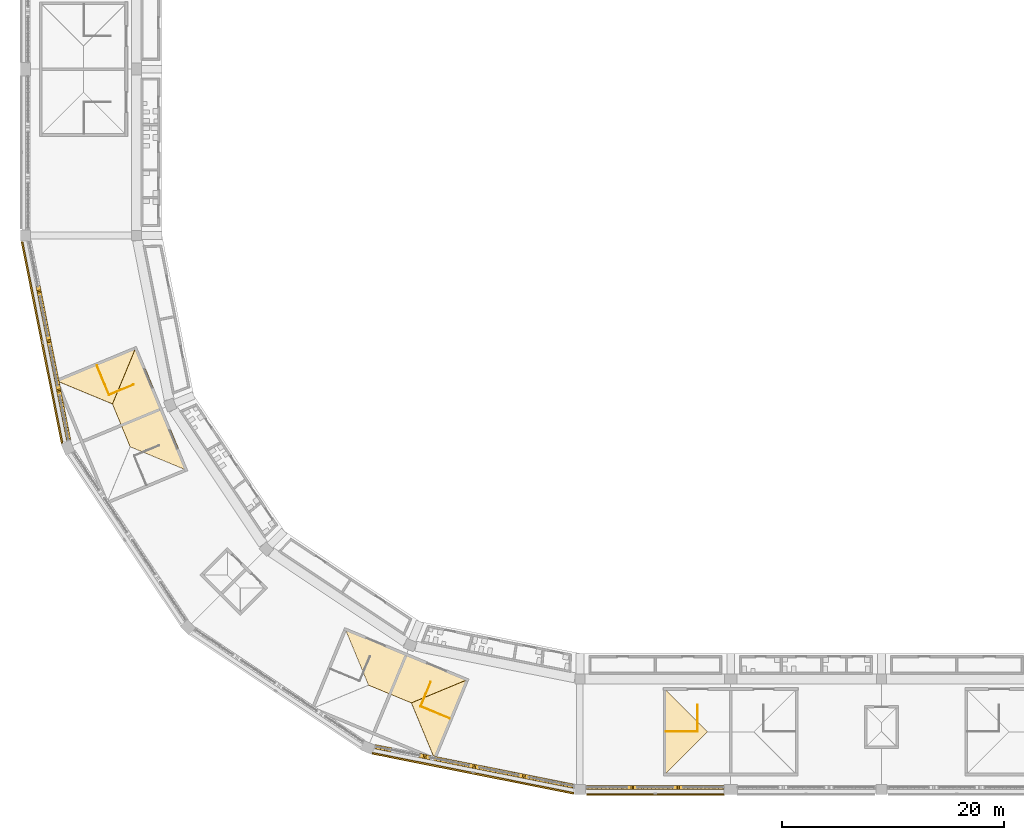
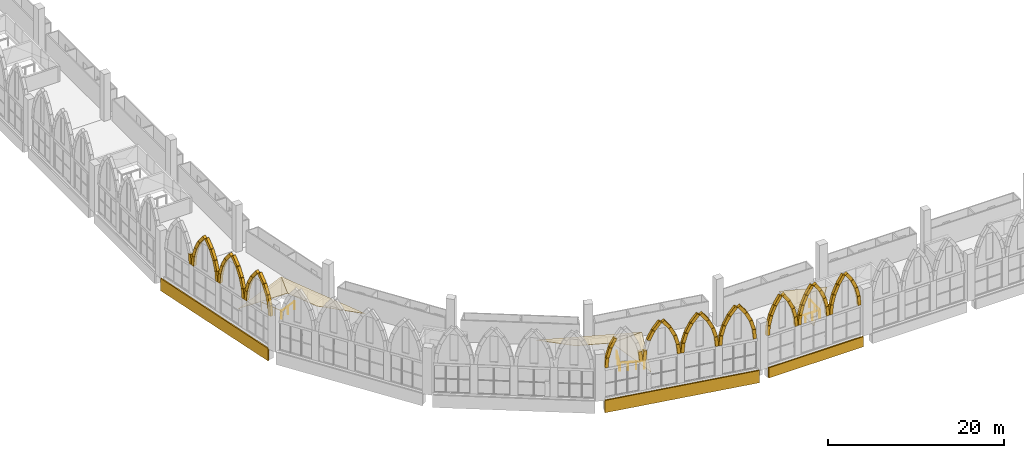
# One storey, part 106 of 130: 84 coverings, 6 railings.
"""IFC4 building model written with IfcOpenShell, lengths in metres."""

from ifc_helpers import new_model, si_unit, direction, frame, origin, origin_2d, place, context, subcontext, project, spatial, polyline, rectangle, circle, outline, extrude, material, layer, layer_set, material_profile, profile_set, type_object, element, save


model = new_model("IFC4")

# Units and contexts
model_context = context("Model", 3, precision=1e-05, world=origin(), true_north=direction((0.0, 1.0)))
body_context = subcontext(model_context, "Body", "Model", "MODEL_VIEW")
ifc_project = project(units=[si_unit("LENGTHUNIT", "METRE"), si_unit("AREAUNIT", "SQUARE_METRE"), si_unit("VOLUMEUNIT", "CUBIC_METRE"), si_unit("PLANEANGLEUNIT", "RADIAN"), si_unit("MASSUNIT", "GRAM", prefix="KILO")], contexts=[model_context])

# Site, building, storey
site_placement = place(None, origin())
site = spatial("IfcSite", under=ifc_project, at=site_placement, CompositionType="ELEMENT")
building_placement = place(site_placement, origin())
building = spatial("IfcBuilding", under=site, at=building_placement, Name="Ogive Plaza Stadium", CompositionType="ELEMENT")
storey_placement = place(building_placement, frame((0.0, 0.0, 22.5)))
storey = spatial("IfcBuildingStorey", under=building, at=storey_placement, Name="L05", CompositionType="ELEMENT", Elevation=22.5)

# Railings
ifc_material_1 = material(Name="Steel ASTM A572 Grade 50", Category="steel")
railing_type = type_object("IfcRailingType", Name="Guard 1100", PredefinedType="GUARDRAIL", material=ifc_material_1)
railing_1_placement = place(storey_placement, frame((-23.375, -94.85009765625, 0.0)))
element("IfcRailing", 1, at=railing_1_placement, inside=storey, type_object=railing_type, Name="Stair well guard ST16A L05", PredefinedType="GUARDRAIL", context=body_context, shape_type="SweptSolid", body=[
    extrude(circle(Radius=0.02392578125, at=origin_2d()), frame((0.0, 0.0, 1.076171875), z_axis=(0.0, -1.0, 0.0), x_axis=(1.0, 0.0, 0.0)), (0.0, 0.0, 1.0), 2.39990234375),
    extrude(circle(Radius=0.02099609375, at=origin_2d()), origin(), (0.0, 0.0, 1.0), 1.052001953125),
    extrude(circle(Radius=0.02099609375, at=origin_2d()), frame((0.0, -1.199951171875, 0.0)), (0.0, 0.0, 1.0), 1.052001953125),
    extrude(circle(Radius=0.02099609375, at=origin_2d()), frame((0.0, -2.39990234375, 0.0)), (0.0, 0.0, 1.0), 1.052001953125),
])
railing_2_placement = place(storey_placement, frame((-26.22509765625, -97.25, 0.0)))
element("IfcRailing", 2, at=railing_2_placement, inside=storey, type_object=railing_type, Name="Stair guard ST16A L05", PredefinedType="GUARDRAIL", context=body_context, shape_type="SweptSolid", body=[
    extrude(circle(Radius=0.02392578125, at=origin_2d()), frame((0.0, 0.0, 1.076171875), z_axis=(1.0, 0.0, 0.0), x_axis=(0.0, 1.0, 0.0)), (0.0, 0.0, 1.0), 2.800048828125),
    extrude(circle(Radius=0.02099609375, at=origin_2d()), origin(), (0.0, 0.0, 1.0), 1.052001953125),
    extrude(circle(Radius=0.02099609375, at=origin_2d()), frame((0.933349609375, 0.0, 0.0)), (0.0, 0.0, 1.0), 1.052001953125),
    extrude(circle(Radius=0.02099609375, at=origin_2d()), frame((1.86669921875, 0.0, 0.0)), (0.0, 0.0, 1.0), 1.052001953125),
    extrude(circle(Radius=0.02099609375, at=origin_2d()), frame((2.800048828125, 0.0, 0.0)), (0.0, 0.0, 1.0), 1.052001953125),
])
railing_3_placement = place(storey_placement, frame((-47.4580078125, -92.764892578125, 0.0)))
element("IfcRailing", 3, at=railing_3_placement, inside=storey, type_object=railing_type, Name="Stair well guard ST18B L05", PredefinedType="GUARDRAIL", context=body_context, shape_type="SweptSolid", body=[
    extrude(circle(Radius=0.02392578125, at=origin_2d()), frame((0.0, 0.0, 1.076171875), z_axis=(-0.382693194178, -0.923875488976, 0.0), x_axis=(0.923875488976, -0.382693194178, 0.0)), (0.0, 0.0, 1.0), 2.39990234375),
    extrude(circle(Radius=0.02099609375, at=origin_2d()), origin(), (0.0, 0.0, 1.0), 1.052001953125),
    extrude(circle(Radius=0.02099609375, at=origin_2d()), frame((-0.459228515625, -1.108642578125, 0.0)), (0.0, 0.0, 1.0), 1.052001953125),
    extrude(circle(Radius=0.02099609375, at=origin_2d()), frame((-0.91845703125, -2.21728515625, 0.0)), (0.0, 0.0, 1.0), 1.052001953125),
])
railing_4_placement = place(storey_placement, frame((-48.330322265625, -95.001220703125, 0.0)))
element("IfcRailing", 4, at=railing_4_placement, inside=storey, type_object=railing_type, Name="Stair guard ST18B L05", PredefinedType="GUARDRAIL", context=body_context, shape_type="SweptSolid", body=[
    extrude(circle(Radius=0.02392578125, at=origin_2d()), frame((0.0, 0.0, 1.076171875), z_axis=(0.923879745429, -0.382682918336, 0.0), x_axis=(0.382682918336, 0.923879745429, 0.0)), (0.0, 0.0, 1.0), 2.800048828125),
    extrude(circle(Radius=0.02099609375, at=origin_2d()), origin(), (0.0, 0.0, 1.0), 1.052001953125),
    extrude(circle(Radius=0.02099609375, at=origin_2d()), frame((0.8623046875, -0.357177734375, 0.0)), (0.0, 0.0, 1.0), 1.052001953125),
    extrude(circle(Radius=0.02099609375, at=origin_2d()), frame((1.724609375, -0.71435546875, 0.0)), (0.0, 0.0, 1.0), 1.052001953125),
    extrude(circle(Radius=0.02099609375, at=origin_2d()), frame((2.5869140625, -1.071533203125, 0.0)), (0.0, 0.0, 1.0), 1.052001953125),
])
railing_5_placement = place(storey_placement, frame((-74.264892578125, -65.9580078125, 0.0)))
element("IfcRailing", 5, at=railing_5_placement, inside=storey, type_object=railing_type, Name="Stair well guard ST20A L05", PredefinedType="GUARDRAIL", context=body_context, shape_type="SweptSolid", body=[
    extrude(circle(Radius=0.02392578125, at=origin_2d()), frame((0.0, 0.0, 1.076171875), z_axis=(-0.923875488976, -0.382693194178, 0.0), x_axis=(0.382693194178, -0.923875488976, 0.0)), (0.0, 0.0, 1.0), 2.39990234375),
    extrude(circle(Radius=0.02099609375, at=origin_2d()), origin(), (0.0, 0.0, 1.0), 1.052001953125),
    extrude(circle(Radius=0.02099609375, at=origin_2d()), frame((-1.108642578125, -0.459228515625, 0.0)), (0.0, 0.0, 1.0), 1.052001953125),
    extrude(circle(Radius=0.02099609375, at=origin_2d()), frame((-2.21728515625, -0.91845703125, 0.0)), (0.0, 0.0, 1.0), 1.052001953125),
])
railing_6_placement = place(storey_placement, frame((-77.57275390625, -64.243408203125, 0.0)))
element("IfcRailing", 6, at=railing_6_placement, inside=storey, type_object=railing_type, Name="Stair guard ST20A L05", PredefinedType="GUARDRAIL", context=body_context, shape_type="SweptSolid", body=[
    extrude(circle(Radius=0.02392578125, at=origin_2d()), frame((0.0, 0.0, 1.076171875), z_axis=(0.382682918336, -0.923879745429, 0.0), x_axis=(0.923879745429, 0.382682918336, 0.0)), (0.0, 0.0, 1.0), 2.800048828125),
    extrude(circle(Radius=0.02099609375, at=origin_2d()), origin(), (0.0, 0.0, 1.0), 1.052001953125),
    extrude(circle(Radius=0.02099609375, at=origin_2d()), frame((0.357177734375, -0.8623046875, 0.0)), (0.0, 0.0, 1.0), 1.052001953125),
    extrude(circle(Radius=0.02099609375, at=origin_2d()), frame((0.71435546875, -1.724609375, 0.0)), (0.0, 0.0, 1.0), 1.052001953125),
    extrude(circle(Radius=0.02099609375, at=origin_2d()), frame((1.071533203125, -2.5869140625, 0.0)), (0.0, 0.0, 1.0), 1.052001953125),
])

# Coverings
ifc_material_2 = material(Name="Cast stone (reconstituted limestone)", Category="masonry")
ifc_material_profile = material_profile(ifc_material_2, rectangle(XDim=0.39990234375, YDim=0.39990234375, at=origin_2d()), Name="Cast stone 400x400")
ifc_profile_set = profile_set([ifc_material_profile], Name="Cast stone (reconstituted limestone)")
covering_type_1 = type_object("IfcCoveringType", Name="Precast arch rib 400x400", PredefinedType="MOLDING", material=ifc_profile_set)
for number, where, z_axis, x_axis, name in (
    (7, (-21.20068359375, -102.300048828125, 4.11669921875), (-0.083467432906, 0.0, 0.996510505536), (0.0, -1.0, 0.0), "ARCH RIB B16 1.1"),
    (8, (-21.314208984375, -102.300048828125, 5.437744140625), (-0.247952785685, 0.0, 0.96877211772), (0.0, -1.0, 0.0), "ARCH RIB B16 1.2"),
    (9, (-21.645751953125, -102.300048828125, 6.7216796875), (-0.405647789331, 0.0, 0.914029469443), (0.0, -1.0, 0.0), "ARCH RIB B16 1.3"),
    (10, (-22.186279296875, -102.300048828125, 7.9326171875), (-0.552038792089, 0.0, 0.833818428694), (0.0, -1.0, 0.0), "ARCH RIB B16 1.4"),
    (11, (-23.2333984375, -102.300048828125, 9.010498046875), (-0.552038792089, 0.0, -0.833818428694), (0.0, -1.0, 0.0), "ARCH RIB B16 1.5"),
    (12, (-23.963134765625, -102.300048828125, 7.9033203125), (-0.405647789331, 0.0, -0.914029469443), (0.0, -1.0, 0.0), "ARCH RIB B16 1.6"),
    (13, (-24.49853515625, -102.300048828125, 6.690185546875), (-0.247952785685, 0.0, -0.96877211772), (0.0, -1.0, 0.0), "ARCH RIB B16 1.7"),
    (14, (-24.82470703125, -102.300048828125, 5.405029296875), (-0.083467432906, 0.0, -0.996510505536), (0.0, -1.0, 0.0), "ARCH RIB B16 1.8"),
    (15, (-25.333984375, -102.300048828125, 4.11669921875), (-0.083467432906, 0.0, 0.996510505536), (0.0, -1.0, 0.0), "ARCH RIB B16 2.1"),
    (16, (-25.447509765625, -102.300048828125, 5.437744140625), (-0.247952785685, 0.0, 0.96877211772), (0.0, -1.0, 0.0), "ARCH RIB B16 2.2"),
    (17, (-25.779052734375, -102.300048828125, 6.7216796875), (-0.405647789331, 0.0, 0.914029469443), (0.0, -1.0, 0.0), "ARCH RIB B16 2.3"),
    (18, (-26.319580078125, -102.300048828125, 7.9326171875), (-0.552038792089, 0.0, 0.833818428694), (0.0, -1.0, 0.0), "ARCH RIB B16 2.4"),
    (19, (-27.36669921875, -102.300048828125, 9.010498046875), (-0.552038792089, 0.0, -0.833818428694), (0.0, -1.0, 0.0), "ARCH RIB B16 2.5"),
    (20, (-28.096435546875, -102.300048828125, 7.9033203125), (-0.405647789331, 0.0, -0.914029469443), (0.0, -1.0, 0.0), "ARCH RIB B16 2.6"),
):
    element("IfcCovering", number, at=place(storey_placement, frame(where, z_axis=z_axis, x_axis=x_axis)), inside=storey, type_object=covering_type_1, Name=name, PredefinedType="MOLDING", context=body_context, shape_type="SweptSolid", body=[
        extrude(rectangle(XDim=0.39990234375, YDim=0.39990234375, at=origin_2d()), origin(), (0.0, 0.0, 1.0), 1.292724609375),
    ])
covering_1_placement = place(storey_placement, frame((-28.6318359375, -102.300048828125, 6.690185546875), z_axis=(-0.248130007434, 0.0, -0.968726741352), x_axis=(0.0, -1.0, 0.0)))
element("IfcCovering", 21, at=covering_1_placement, inside=storey, type_object=covering_type_1, Name="ARCH RIB B16 2.7", PredefinedType="MOLDING", context=body_context, shape_type="SweptSolid", body=[
    extrude(rectangle(XDim=0.39990234375, YDim=0.39990234375, at=origin_2d()), origin(), (0.0, 0.0, 1.0), 1.29296875),
])
for number, where, z_axis, x_axis, name in (
    (22, (-28.9580078125, -102.300048828125, 5.405029296875), (-0.083467432906, 0.0, -0.996510505536), (0.0, -1.0, 0.0), "ARCH RIB B16 2.8"),
    (23, (-29.46728515625, -102.300048828125, 4.11669921875), (-0.083467432906, 0.0, 0.996510505536), (0.0, -1.0, 0.0), "ARCH RIB B16 3.1"),
    (24, (-29.580810546875, -102.300048828125, 5.437744140625), (-0.247952785685, 0.0, 0.96877211772), (0.0, -1.0, 0.0), "ARCH RIB B16 3.2"),
    (25, (-29.912353515625, -102.300048828125, 6.7216796875), (-0.405647789331, 0.0, 0.914029469443), (0.0, -1.0, 0.0), "ARCH RIB B16 3.3"),
    (26, (-30.452880859375, -102.300048828125, 7.9326171875), (-0.552038792089, 0.0, 0.833818428694), (0.0, -1.0, 0.0), "ARCH RIB B16 3.4"),
    (27, (-31.5, -102.300048828125, 9.010498046875), (-0.55217007731, 0.0, -0.833731494981), (0.0, -1.0, 0.0), "ARCH RIB B16 3.5"),
):
    element("IfcCovering", number, at=place(storey_placement, frame(where, z_axis=z_axis, x_axis=x_axis)), inside=storey, type_object=covering_type_1, Name=name, PredefinedType="MOLDING", context=body_context, shape_type="SweptSolid", body=[
        extrude(rectangle(XDim=0.39990234375, YDim=0.39990234375, at=origin_2d()), origin(), (0.0, 0.0, 1.0), 1.292724609375),
    ])
for number, where, z_axis, x_axis, name in (
    (28, (-32.229736328125, -102.300048828125, 7.9033203125), (-0.405805545127, 0.0, -0.913959440864), (0.0, -1.0, 0.0), "ARCH RIB B16 3.6"),
    (29, (-32.76513671875, -102.300048828125, 6.690185546875), (-0.248130007434, 0.0, -0.968726741352), (0.0, -1.0, 0.0), "ARCH RIB B16 3.7"),
):
    element("IfcCovering", number, at=place(storey_placement, frame(where, z_axis=z_axis, x_axis=x_axis)), inside=storey, type_object=covering_type_1, Name=name, PredefinedType="MOLDING", context=body_context, shape_type="SweptSolid", body=[
        extrude(rectangle(XDim=0.39990234375, YDim=0.39990234375, at=origin_2d()), origin(), (0.0, 0.0, 1.0), 1.29296875),
    ])
covering_2_placement = place(storey_placement, frame((-33.09130859375, -102.300048828125, 5.405029296875), z_axis=(-0.083467432906, 0.0, -0.996510505536), x_axis=(0.0, -1.0, 0.0)))
element("IfcCovering", 30, at=covering_2_placement, inside=storey, type_object=covering_type_1, Name="ARCH RIB B16 3.8", PredefinedType="MOLDING", context=body_context, shape_type="SweptSolid", body=[
    extrude(rectangle(XDim=0.39990234375, YDim=0.39990234375, at=origin_2d()), origin(), (0.0, 0.0, 1.0), 1.292724609375),
])
covering_3_placement = place(storey_placement, frame((-34.7861328125, -102.1396484375, 4.11865234375), z_axis=(-0.091206074607, 0.018167063641, 0.995666314462), x_axis=(-0.195349397809, -0.980733711451, 0.0)))
element("IfcCovering", 31, at=covering_3_placement, inside=storey, type_object=covering_type_1, Name="ARCH RIB B17 1.1", PredefinedType="MOLDING", context=body_context, shape_type="SweptSolid", body=[
    extrude(rectangle(XDim=0.39990234375, YDim=0.39990234375, at=origin_2d()), origin(), (0.0, 0.0, 1.0), 1.31689453125),
])
for number, where, z_axis, x_axis, name in (
    (32, (-34.9130859375, -102.114501953125, 5.466552734375), (-0.270818389008, 0.0539412397, 0.961117965098), (-0.195341523902, -0.980735279798, 0.0), "ARCH RIB B17 1.2"),
    (33, (-35.283203125, -102.040771484375, 6.76708984375), (-0.44096305246, 0.087673612364, 0.893232849855), (-0.195006038548, -0.980802041663, 0.0), "ARCH RIB B17 1.3"),
    (34, (-35.88330078125, -101.92138671875, 7.97509765625), (-0.595717472648, 0.118439161488, 0.794413530731), (-0.195000979273, -0.98080304755, 0.0), "ARCH RIB B17 1.4"),
    (35, (-36.9794921875, -101.703369140625, 9.021484375), (-0.595717472648, 0.118439161488, -0.794413530731), (-0.195000979273, -0.98080304755, 0.0), "ARCH RIB B17 1.5"),
    (36, (-37.78369140625, -101.54345703125, 7.943603515625), (-0.44096305246, 0.087673612364, -0.893232849855), (-0.195006038548, -0.980802041663, 0.0), "ARCH RIB B17 1.6"),
    (37, (-38.377685546875, -101.42529296875, 6.732421875), (-0.270818389008, 0.0539412397, -0.961117965098), (-0.195341523902, -0.980735279798, 0.0), "ARCH RIB B17 1.7"),
):
    element("IfcCovering", number, at=place(storey_placement, frame(where, z_axis=z_axis, x_axis=x_axis)), inside=storey, type_object=covering_type_1, Name=name, PredefinedType="MOLDING", context=body_context, shape_type="SweptSolid", body=[
        extrude(rectangle(XDim=0.39990234375, YDim=0.39990234375, at=origin_2d()), origin(), (0.0, 0.0, 1.0), 1.317138671875),
    ])
for number, where, z_axis, x_axis, name in (
    (38, (-38.7412109375, -101.35302734375, 5.429931640625), (-0.091389906065, 0.018166756175, -0.995649463436), (-0.194968228644, -0.980809558385, 0.0), "ARCH RIB B17 1.8"),
    (39, (-39.255615234375, -101.250732421875, 4.11865234375), (-0.091206074607, 0.018167063641, 0.995666314462), (-0.195349397809, -0.980733711451, 0.0), "ARCH RIB B17 2.1"),
):
    element("IfcCovering", number, at=place(storey_placement, frame(where, z_axis=z_axis, x_axis=x_axis)), inside=storey, type_object=covering_type_1, Name=name, PredefinedType="MOLDING", context=body_context, shape_type="SweptSolid", body=[
        extrude(rectangle(XDim=0.39990234375, YDim=0.39990234375, at=origin_2d()), origin(), (0.0, 0.0, 1.0), 1.31689453125),
    ])
for number, where, z_axis, x_axis, name in (
    (40, (-39.382568359375, -101.225341796875, 5.466552734375), (-0.270821092261, 0.053756411195, 0.961127558778), (-0.194695735094, -0.980863686113, 0.0), "ARCH RIB B17 2.2"),
    (41, (-39.752685546875, -101.15185546875, 6.76708984375), (-0.44096305246, 0.087673612364, 0.893232849855), (-0.195006038548, -0.980802041663, 0.0), "ARCH RIB B17 2.3"),
    (42, (-40.352783203125, -101.032470703125, 7.97509765625), (-0.595717472648, 0.118439161488, 0.794413530731), (-0.195000979273, -0.98080304755, 0.0), "ARCH RIB B17 2.4"),
    (43, (-41.44921875, -100.814453125, 9.021484375), (-0.595704385184, 0.118621906197, -0.794396078064), (-0.195294514862, -0.980744641823, 0.0), "ARCH RIB B17 2.5"),
    (44, (-42.253173828125, -100.654541015625, 7.943603515625), (-0.440955879026, 0.087857539579, -0.893218319053), (-0.195402587892, -0.980723115178, 0.0), "ARCH RIB B17 2.6"),
    (45, (-42.84716796875, -100.5361328125, 6.732421875), (-0.270992850695, 0.053753711834, -0.961079296071), (-0.194567607325, -0.980889110032, 0.0), "ARCH RIB B17 2.7"),
):
    element("IfcCovering", number, at=place(storey_placement, frame(where, z_axis=z_axis, x_axis=x_axis)), inside=storey, type_object=covering_type_1, Name=name, PredefinedType="MOLDING", context=body_context, shape_type="SweptSolid", body=[
        extrude(rectangle(XDim=0.39990234375, YDim=0.39990234375, at=origin_2d()), origin(), (0.0, 0.0, 1.0), 1.317138671875),
    ])
for number, where, z_axis, x_axis, name in (
    (46, (-43.210693359375, -100.4638671875, 5.429931640625), (-0.091389906065, 0.018166756175, -0.995649463436), (-0.194968228644, -0.980809558385, 0.0), "ARCH RIB B17 2.8"),
    (47, (-43.72509765625, -100.361572265625, 4.11865234375), (-0.091389906065, 0.018166756175, 0.995649463436), (-0.194968228644, -0.980809558385, 0.0), "ARCH RIB B17 3.1"),
):
    element("IfcCovering", number, at=place(storey_placement, frame(where, z_axis=z_axis, x_axis=x_axis)), inside=storey, type_object=covering_type_1, Name=name, PredefinedType="MOLDING", context=body_context, shape_type="SweptSolid", body=[
        extrude(rectangle(XDim=0.39990234375, YDim=0.39990234375, at=origin_2d()), origin(), (0.0, 0.0, 1.0), 1.31689453125),
    ])
for number, where, z_axis, x_axis, name in (
    (48, (-43.85205078125, -100.33642578125, 5.466552734375), (-0.270990146, 0.053938531112, 0.961069703837), (-0.195213004767, -0.98076086931, 0.0), "ARCH RIB B17 3.2"),
    (49, (-44.22216796875, -100.2626953125, 6.76708984375), (-0.44096305246, 0.087673612364, 0.893232849855), (-0.195006038548, -0.980802041663, 0.0), "ARCH RIB B17 3.3"),
    (50, (-44.822265625, -100.143310546875, 7.97509765625), (-0.595717472648, 0.118439161488, 0.794413530731), (-0.195000979273, -0.98080304755, 0.0), "ARCH RIB B17 3.4"),
    (51, (-45.918701171875, -99.92529296875, 9.021484375), (-0.595717472648, 0.118439161488, -0.794413530731), (-0.195000979273, -0.98080304755, 0.0), "ARCH RIB B17 3.5"),
    (52, (-46.72265625, -99.765380859375, 7.943603515625), (-0.44096305246, 0.087673612364, -0.893232849855), (-0.195006038548, -0.980802041663, 0.0), "ARCH RIB B17 3.6"),
):
    element("IfcCovering", number, at=place(storey_placement, frame(where, z_axis=z_axis, x_axis=x_axis)), inside=storey, type_object=covering_type_1, Name=name, PredefinedType="MOLDING", context=body_context, shape_type="SweptSolid", body=[
        extrude(rectangle(XDim=0.39990234375, YDim=0.39990234375, at=origin_2d()), origin(), (0.0, 0.0, 1.0), 1.317138671875),
    ])
for number, where, z_axis, x_axis, name in (
    (53, (-47.68017578125, -99.574951171875, 5.429931640625), (-0.091389906065, 0.018166756175, -0.995649463436), (-0.194968228644, -0.980809558385, 0.0), "ARCH RIB B17 3.8"),
    (54, (-48.194580078125, -99.47265625, 4.11865234375), (-0.091389906065, 0.018166756175, 0.995649463436), (-0.194968228644, -0.980809558385, 0.0), "ARCH RIB B17 4.1"),
):
    element("IfcCovering", number, at=place(storey_placement, frame(where, z_axis=z_axis, x_axis=x_axis)), inside=storey, type_object=covering_type_1, Name=name, PredefinedType="MOLDING", context=body_context, shape_type="SweptSolid", body=[
        extrude(rectangle(XDim=0.39990234375, YDim=0.39990234375, at=origin_2d()), origin(), (0.0, 0.0, 1.0), 1.31689453125),
    ])
for number, where, z_axis, x_axis, name in (
    (55, (-51.192138671875, -98.876220703125, 7.943603515625), (-0.44096305246, 0.087673612364, -0.893232849855), (-0.195006038548, -0.980802041663, 0.0), "ARCH RIB B17 4.6"),
    (56, (-51.786376953125, -98.758056640625, 6.732421875), (-0.270821092261, 0.053756411195, -0.961127558778), (-0.194695735094, -0.980863686113, 0.0), "ARCH RIB B17 4.7"),
):
    element("IfcCovering", number, at=place(storey_placement, frame(where, z_axis=z_axis, x_axis=x_axis)), inside=storey, type_object=covering_type_1, Name=name, PredefinedType="MOLDING", context=body_context, shape_type="SweptSolid", body=[
        extrude(rectangle(XDim=0.39990234375, YDim=0.39990234375, at=origin_2d()), origin(), (0.0, 0.0, 1.0), 1.317138671875),
    ])
for number, where, z_axis, x_axis, name in (
    (57, (-52.14990234375, -98.685791015625, 5.429931640625), (-0.091206074607, 0.018167063641, -0.995666314462), (-0.195349397809, -0.980733711451, 0.0), "ARCH RIB B17 4.8"),
    (58, (-80.161865234375, -70.77001953125, 4.11865234375), (-0.018167063641, 0.091206074607, 0.995666314462), (-0.980733711451, -0.195349397809, 0.0), "ARCH RIB B20 1.1"),
):
    element("IfcCovering", number, at=place(storey_placement, frame(where, z_axis=z_axis, x_axis=x_axis)), inside=storey, type_object=covering_type_1, Name=name, PredefinedType="MOLDING", context=body_context, shape_type="SweptSolid", body=[
        extrude(rectangle(XDim=0.39990234375, YDim=0.39990234375, at=origin_2d()), origin(), (0.0, 0.0, 1.0), 1.31689453125),
    ])
for number, where, z_axis, x_axis, name in (
    (59, (-80.187255859375, -70.64306640625, 5.466552734375), (-0.053756411195, 0.270821092261, 0.961127558778), (-0.980863686113, -0.194695735094, 0.0), "ARCH RIB B20 1.2"),
    (60, (-80.2607421875, -70.27294921875, 6.76708984375), (-0.087673612364, 0.44096305246, 0.893232849855), (-0.980802041663, -0.195006038548, 0.0), "ARCH RIB B20 1.3"),
    (61, (-80.380126953125, -69.6728515625, 7.97509765625), (-0.118621906197, 0.595704385184, 0.794396078064), (-0.980744641823, -0.195294514862, 0.0), "ARCH RIB B20 1.4"),
    (62, (-80.59814453125, -68.576416015625, 9.021484375), (-0.118621906197, 0.595704385184, -0.794396078064), (-0.980744641823, -0.195294514862, 0.0), "ARCH RIB B20 1.5"),
    (63, (-80.75830078125, -67.7724609375, 7.943603515625), (-0.087673612364, 0.44096305246, -0.893232849855), (-0.980802041663, -0.195006038548, 0.0), "ARCH RIB B20 1.6"),
    (64, (-80.87646484375, -67.178466796875, 6.732421875), (-0.053756411195, 0.270821092261, -0.961127558778), (-0.980863686113, -0.194695735094, 0.0), "ARCH RIB B20 1.7"),
):
    element("IfcCovering", number, at=place(storey_placement, frame(where, z_axis=z_axis, x_axis=x_axis)), inside=storey, type_object=covering_type_1, Name=name, PredefinedType="MOLDING", context=body_context, shape_type="SweptSolid", body=[
        extrude(rectangle(XDim=0.39990234375, YDim=0.39990234375, at=origin_2d()), origin(), (0.0, 0.0, 1.0), 1.317138671875),
    ])
for number, where, z_axis, x_axis, name in (
    (65, (-80.94873046875, -66.81494140625, 5.429931640625), (-0.018166756175, 0.091389906065, -0.995649463436), (-0.980809558385, -0.194968228644, 0.0), "ARCH RIB B20 1.8"),
    (66, (-81.051025390625, -66.300537109375, 4.11865234375), (-0.018166756175, 0.091389906065, 0.995649463436), (-0.980809558385, -0.194968228644, 0.0), "ARCH RIB B20 2.1"),
):
    element("IfcCovering", number, at=place(storey_placement, frame(where, z_axis=z_axis, x_axis=x_axis)), inside=storey, type_object=covering_type_1, Name=name, PredefinedType="MOLDING", context=body_context, shape_type="SweptSolid", body=[
        extrude(rectangle(XDim=0.39990234375, YDim=0.39990234375, at=origin_2d()), origin(), (0.0, 0.0, 1.0), 1.31689453125),
    ])
for number, where, z_axis, x_axis, name in (
    (67, (-81.076171875, -66.173583984375, 5.466552734375), (-0.0539412397, 0.270818389008, 0.961117965098), (-0.980735279798, -0.195341523902, 0.0), "ARCH RIB B20 2.2"),
    (68, (-81.14990234375, -65.803466796875, 6.76708984375), (-0.087673612364, 0.44096305246, 0.893232849855), (-0.980802041663, -0.195006038548, 0.0), "ARCH RIB B20 2.3"),
    (69, (-81.269287109375, -65.203369140625, 7.97509765625), (-0.118439161488, 0.595717472648, 0.794413530731), (-0.98080304755, -0.195000979273, 0.0), "ARCH RIB B20 2.4"),
    (70, (-81.4873046875, -64.10693359375, 9.021484375), (-0.118439161488, 0.595717472648, -0.794413530731), (-0.98080304755, -0.195000979273, 0.0), "ARCH RIB B20 2.5"),
    (71, (-81.647216796875, -63.302978515625, 7.943603515625), (-0.087673612364, 0.44096305246, -0.893232849855), (-0.980802041663, -0.195006038548, 0.0), "ARCH RIB B20 2.6"),
    (72, (-81.765380859375, -62.708984375, 6.732421875), (-0.053938531112, 0.270990146, -0.961069703837), (-0.98076086931, -0.195213004767, 0.0), "ARCH RIB B20 2.7"),
):
    element("IfcCovering", number, at=place(storey_placement, frame(where, z_axis=z_axis, x_axis=x_axis)), inside=storey, type_object=covering_type_1, Name=name, PredefinedType="MOLDING", context=body_context, shape_type="SweptSolid", body=[
        extrude(rectangle(XDim=0.39990234375, YDim=0.39990234375, at=origin_2d()), origin(), (0.0, 0.0, 1.0), 1.317138671875),
    ])
for number, where, z_axis, x_axis, name in (
    (73, (-81.837646484375, -62.345458984375, 5.429931640625), (-0.018166756175, 0.091389906065, -0.995649463436), (-0.980809558385, -0.194968228644, 0.0), "ARCH RIB B20 2.8"),
    (74, (-81.93994140625, -61.8310546875, 4.11865234375), (-0.018166756175, 0.091389906065, 0.995649463436), (-0.980809558385, -0.194968228644, 0.0), "ARCH RIB B20 3.1"),
):
    element("IfcCovering", number, at=place(storey_placement, frame(where, z_axis=z_axis, x_axis=x_axis)), inside=storey, type_object=covering_type_1, Name=name, PredefinedType="MOLDING", context=body_context, shape_type="SweptSolid", body=[
        extrude(rectangle(XDim=0.39990234375, YDim=0.39990234375, at=origin_2d()), origin(), (0.0, 0.0, 1.0), 1.31689453125),
    ])
for number, where, z_axis, x_axis, name in (
    (75, (-81.96533203125, -61.7041015625, 5.466552734375), (-0.053753711834, 0.270992850695, 0.961079296071), (-0.980889110032, -0.194567607325, 0.0), "ARCH RIB B20 3.2"),
    (76, (-82.038818359375, -61.333984375, 6.76708984375), (-0.087857539579, 0.440955879026, 0.893218319053), (-0.980723115178, -0.195402587892, 0.0), "ARCH RIB B20 3.3"),
    (77, (-82.158203125, -60.73388671875, 7.97509765625), (-0.118621906197, 0.595704385184, 0.794396078064), (-0.980744641823, -0.195294514862, 0.0), "ARCH RIB B20 3.4"),
    (78, (-82.37646484375, -59.637451171875, 9.021484375), (-0.118439161488, 0.595717472648, -0.794413530731), (-0.98080304755, -0.195000979273, 0.0), "ARCH RIB B20 3.5"),
    (79, (-82.536376953125, -58.83349609375, 7.943603515625), (-0.087673612364, 0.44096305246, -0.893232849855), (-0.980802041663, -0.195006038548, 0.0), "ARCH RIB B20 3.6"),
    (80, (-82.654541015625, -58.2392578125, 6.732421875), (-0.053756411195, 0.270821092261, -0.961127558778), (-0.980863686113, -0.194695735094, 0.0), "ARCH RIB B20 3.7"),
):
    element("IfcCovering", number, at=place(storey_placement, frame(where, z_axis=z_axis, x_axis=x_axis)), inside=storey, type_object=covering_type_1, Name=name, PredefinedType="MOLDING", context=body_context, shape_type="SweptSolid", body=[
        extrude(rectangle(XDim=0.39990234375, YDim=0.39990234375, at=origin_2d()), origin(), (0.0, 0.0, 1.0), 1.317138671875),
    ])
for number, where, z_axis, x_axis, name in (
    (81, (-82.726806640625, -57.875732421875, 5.429931640625), (-0.018167063641, 0.091206074607, -0.995666314462), (-0.980733711451, -0.195349397809, 0.0), "ARCH RIB B20 3.8"),
    (82, (-82.8291015625, -57.361572265625, 4.11865234375), (-0.018166756175, 0.091389906065, 0.995649463436), (-0.980809558385, -0.194968228644, 0.0), "ARCH RIB B20 4.1"),
):
    element("IfcCovering", number, at=place(storey_placement, frame(where, z_axis=z_axis, x_axis=x_axis)), inside=storey, type_object=covering_type_1, Name=name, PredefinedType="MOLDING", context=body_context, shape_type="SweptSolid", body=[
        extrude(rectangle(XDim=0.39990234375, YDim=0.39990234375, at=origin_2d()), origin(), (0.0, 0.0, 1.0), 1.31689453125),
    ])
ifc_material_3 = material(Name="Cast stone (reconstituted limestone)", Category="masonry")
ifc_layer_1 = layer(ifc_material_3, 0.159912109375)
ifc_layer_set_1 = layer_set([ifc_layer_1], Name="Precast spandrel cladding 160")
covering_type_2 = type_object("IfcCoveringType", Name="Precast spandrel cladding 160", PredefinedType="CLADDING", material=ifc_layer_set_1)
covering_4_placement = place(storey_placement, frame((0.0, 0.0, -1.409912109375)))
element("IfcCovering", 83, at=covering_4_placement, inside=storey, type_object=covering_type_2, Name="SPANDREL CLADDING B16 L05", PredefinedType="CLADDING", context=body_context, shape_type="SweptSolid", body=[
    extrude(outline(polyline([(-21.0, -102.85009765625), (-33.39990234375, -102.85009765625), (-33.39990234375, -103.010009765625), (-21.0, -103.010009765625), (-21.0, -102.85009765625)])), origin(), (0.0, 0.0, 1.0), 1.409912109375),
])
covering_5_placement = place(storey_placement, frame((0.0, 0.0, -1.7099609375)))
element("IfcCovering", 84, at=covering_5_placement, inside=storey, type_object=covering_type_2, Name="SPANDREL CLADDING B17 L05", PredefinedType="CLADDING", context=body_context, shape_type="SweptSolid", body=[
    extrude(outline(polyline([(-34.550048828125, -102.74755859375), (-52.720703125, -99.133056640625), (-52.751953125, -99.2900390625), (-34.581298828125, -102.904296875), (-34.550048828125, -102.74755859375)])), origin(), (0.0, 0.0, 1.0), 1.7099609375),
])
covering_6_placement = place(storey_placement, frame((0.0, 0.0, -1.7099609375)))
element("IfcCovering", 85, at=covering_6_placement, inside=storey, type_object=covering_type_2, Name="SPANDREL CLADDING B20 L05", PredefinedType="CLADDING", context=body_context, shape_type="SweptSolid", body=[
    extrude(outline(polyline([(-80.633056640625, -71.220703125), (-84.24755859375, -53.050048828125), (-84.404296875, -53.081298828125), (-80.7900390625, -71.251953125), (-80.633056640625, -71.220703125)])), origin(), (0.0, 0.0, 1.0), 1.7099609375),
])
ifc_material_4 = material(Name="Zinc standing seam", Category="metal")
ifc_layer_2 = layer(ifc_material_4, 0.0400390625)
ifc_layer_set_2 = layer_set([ifc_layer_2], Name="Turret roof zinc standing seam 40")
covering_type_3 = type_object("IfcCoveringType", Name="Turret roof zinc standing seam 40", PredefinedType="ROOFING", material=ifc_layer_set_2)
covering_7_placement = place(storey_placement, frame((-26.47509765625, -93.300048828125, 2.337158203125), z_axis=(-0.372970046205, 0.0, 0.927843383677), x_axis=(0.0, -1.0, 0.0)))
element("IfcCovering", 86, at=covering_7_placement, inside=storey, type_object=covering_type_3, Name="Stair core roof facet R16 4", PredefinedType="ROOFING", context=body_context, shape_type="SweptSolid", body=[
    extrude(outline(polyline([(0.0, 0.0), (7.9599609375, 0.0), (3.97998046875, 4.289495984738666), (0.0, 0.0)])), origin(), (0.0, 0.0, -1.0), 0.0400390625),
])
covering_8_placement = place(storey_placement, frame((-47.047119140625, -99.873046875, 2.337158203125), z_axis=(0.344592492718, -0.142735559778, 0.927837579502), x_axis=(0.3826849789, 0.923878891914, 0.0)))
element("IfcCovering", 87, at=covering_8_placement, inside=storey, type_object=covering_type_3, Name="Stair core roof facet R18 2", PredefinedType="ROOFING", context=body_context, shape_type="SweptSolid", body=[
    extrude(outline(polyline([(0.0, 0.0), (7.959921988273897, 0.0), (3.9798949304268643, 4.289329931657829), (0.0, 0.0)])), origin(), (0.0, 0.0, -1.0), 0.0400390625),
])
covering_9_placement = place(storey_placement, frame((-44.0009765625, -92.51904296875, 2.337158203125), z_axis=(0.142730485777, 0.344574897807, 0.92784489449), x_axis=(-0.923877384941, 0.382688617018, 6.2171e-07)))
element("IfcCovering", 88, at=covering_9_placement, inside=storey, type_object=covering_type_3, Name="Stair core roof facet R18 3", PredefinedType="ROOFING", context=body_context, shape_type="SweptSolid", body=[
    extrude(outline(polyline([(0.0, 0.0), (12.149985135718094, -4.440892098500626e-16), (8.169849970740778, 4.289525592710434), (3.979786823233329, 4.289552830466407), (0.0, 0.0)])), origin(), (0.0, 0.0, -1.0), 0.0400390625),
])
covering_10_placement = place(storey_placement, frame((-69.369384765625, -73.72607421875, 2.337158203125), z_axis=(0.344574897807, 0.142730485777, 0.92784489449), x_axis=(-0.382688617018, 0.923877384941, -6.2171e-07)))
element("IfcCovering", 89, at=covering_10_placement, inside=storey, type_object=covering_type_3, Name="Stair core roof facet R20 3", PredefinedType="ROOFING", context=body_context, shape_type="SweptSolid", body=[
    extrude(outline(polyline([(0.0, 0.0), (12.149985135718094, 4.440892098500626e-16), (8.170198312484764, 4.289552830466407), (3.9801351649773142, 4.289525592710434), (0.0, 0.0)])), origin(), (0.0, 0.0, -1.0), 0.0400390625),
])
covering_11_placement = place(storey_placement, frame((-74.01904296875, -62.5009765625, 2.337158203125), z_axis=(-0.142735559778, 0.344592492718, 0.927837579502), x_axis=(-0.923878891914, -0.3826849789, 0.0)))
element("IfcCovering", 90, at=covering_11_placement, inside=storey, type_object=covering_type_3, Name="Stair core roof facet R20 4", PredefinedType="ROOFING", context=body_context, shape_type="SweptSolid", body=[
    extrude(outline(polyline([(0.0, 0.0), (7.959921988273897, 0.0), (3.9800270578470336, 4.289329931657829), (0.0, 0.0)])), origin(), (0.0, 0.0, -1.0), 0.0400390625),
])

save(model, "model.ifc")
